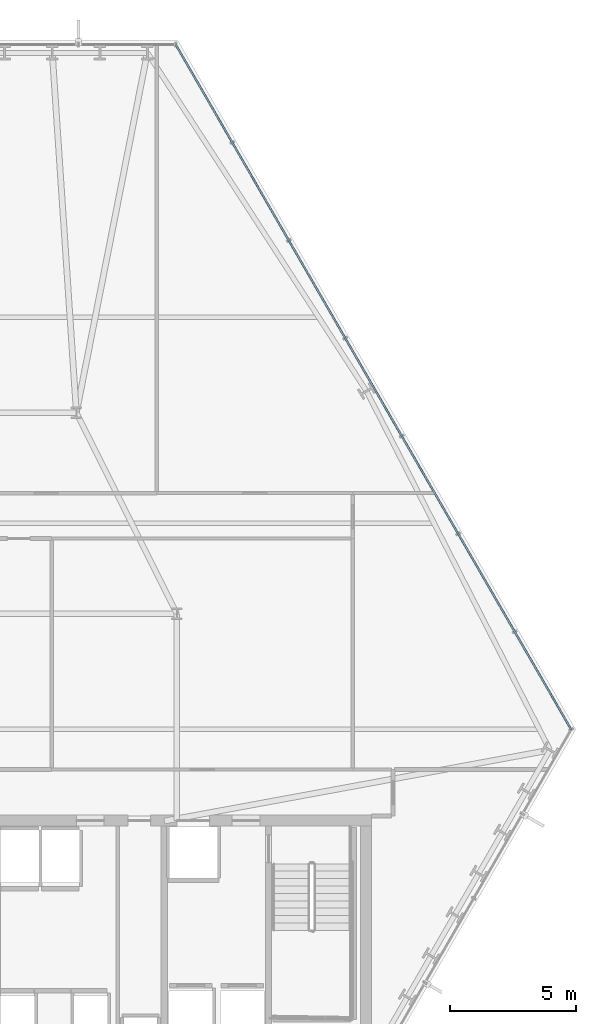
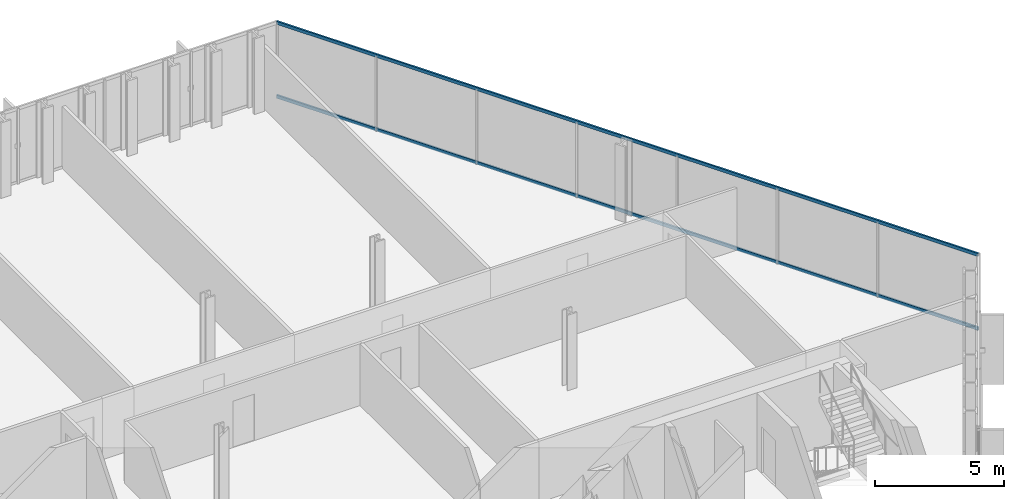
# One storey, part 19 of 32: 2 members, 1 element without a shape of its own.
"""IFC4 building model written with IfcOpenShell, lengths in metres."""

from ifc_helpers import new_model, si_unit, direction, frame, origin, origin_2d, place, context, subcontext, project, spatial, hollow_rectangle, extrude, material, layer, layer_set, material_profile, profile_set, type_object, element, aggregate, save


model = new_model("IFC4")

# Units and contexts
model_context = context("Model", 3, precision=1e-05, world=origin(), true_north=direction((0.0, 1.0)))
body_context = subcontext(model_context, "Body", "Model", "MODEL_VIEW")
ifc_project = project(units=[si_unit("LENGTHUNIT", "METRE"), si_unit("AREAUNIT", "SQUARE_METRE"), si_unit("VOLUMEUNIT", "CUBIC_METRE"), si_unit("PLANEANGLEUNIT", "RADIAN"), si_unit("MASSUNIT", "GRAM", prefix="KILO")], contexts=[model_context])

# Site, building, storey
site_placement = place(None, origin())
site = spatial("IfcSite", under=ifc_project, at=site_placement, CompositionType="ELEMENT")
building_placement = place(site_placement, origin())
building = spatial("IfcBuilding", under=site, at=building_placement, Name="Ndaravel Arena Tower", CompositionType="ELEMENT")
storey_placement = place(building_placement, frame((0.0, 0.0, 62.60009765625)))
storey = spatial("IfcBuildingStorey", under=building, at=storey_placement, Name="L13", CompositionType="ELEMENT", Elevation=62.60009765625)

# Curtain wall, members
ifc_material_1 = material(Name="Aluminium", Category="aluminium")
ifc_layer = layer(ifc_material_1, 0.179931640625)
ifc_layer_set = layer_set([ifc_layer], Name="Aluminium")
curtain_wall_type = type_object("IfcCurtainWallType", Name="CW-SYS-03", PredefinedType="NOTDEFINED", material=ifc_layer_set)
curtain_wall_placement = place(storey_placement, origin())
curtain_wall = element("IfcCurtainWall", 1, at=curtain_wall_placement, inside=storey, type_object=curtain_wall_type, Name="L13 Faceted Crystal Curtain Wall CW-L13-E03", PredefinedType="NOTDEFINED")
ifc_material_2 = material(Name="Aluminium", Category="aluminium")
ifc_material_profile = material_profile(ifc_material_2, hollow_rectangle(XDim=0.074951171875, YDim=0.14990234375, WallThickness=0.00390625, at=origin_2d()), Name="CW TRANSOM 75x150x4")
ifc_profile_set = profile_set([ifc_material_profile], Name="Aluminium")
member_type = type_object("IfcMemberType", Name="MEM-CW-TRN150", PredefinedType="USERDEFINED", material=ifc_profile_set)
member_1_placement = place(storey_placement, frame((65.4912109375, 18.593994140625, 0.039794921875), z_axis=(-0.500001365865, 0.8660246152, 0.0), x_axis=(-0.8660246152, -0.500001365865, 0.0)))
member_1 = element("IfcMember", 2, at=member_1_placement, type_object=member_type, Name="CW-L13-E03 Transom 01", ObjectType="TRANSOM", PredefinedType="USERDEFINED", context=body_context, shape_type="SweptSolid", body=[
    extrude(hollow_rectangle(XDim=0.074951171875, YDim=0.14990234375, WallThickness=0.00390625, at=origin_2d()), origin(), (0.0, 0.0, 1.0), 31.47021484375),
])
member_2_placement = place(storey_placement, frame((65.4912109375, 18.593994140625, 3.539794921875), z_axis=(-0.500001365865, 0.8660246152, 0.0), x_axis=(-0.8660246152, -0.500001365865, 0.0)))
member_2 = element("IfcMember", 3, at=member_2_placement, type_object=member_type, Name="CW-L13-E03 Transom 02", ObjectType="TRANSOM", PredefinedType="USERDEFINED", context=body_context, shape_type="SweptSolid", body=[
    extrude(hollow_rectangle(XDim=0.074951171875, YDim=0.14990234375, WallThickness=0.00390625, at=origin_2d()), origin(), (0.0, 0.0, 1.0), 31.47021484375),
])
aggregate(curtain_wall, [member_1, member_2])

save(model, "model.ifc")
